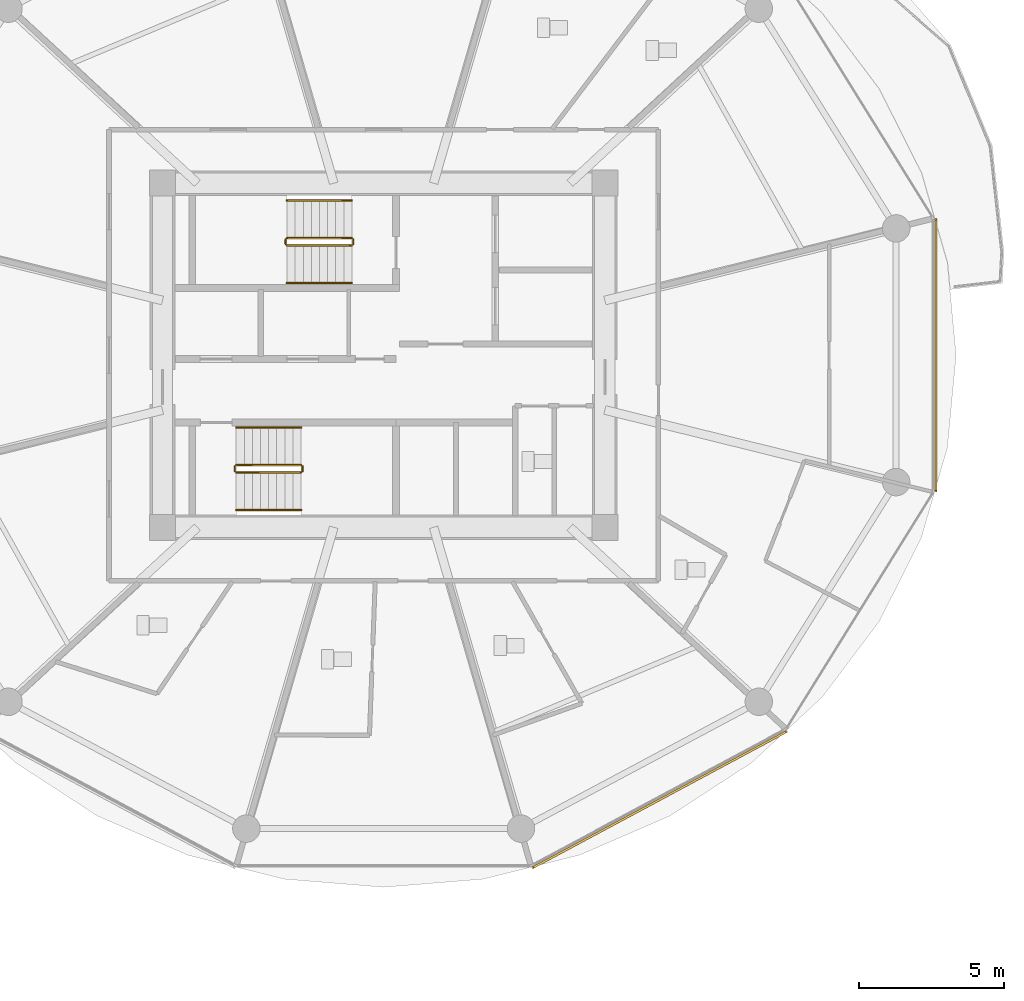
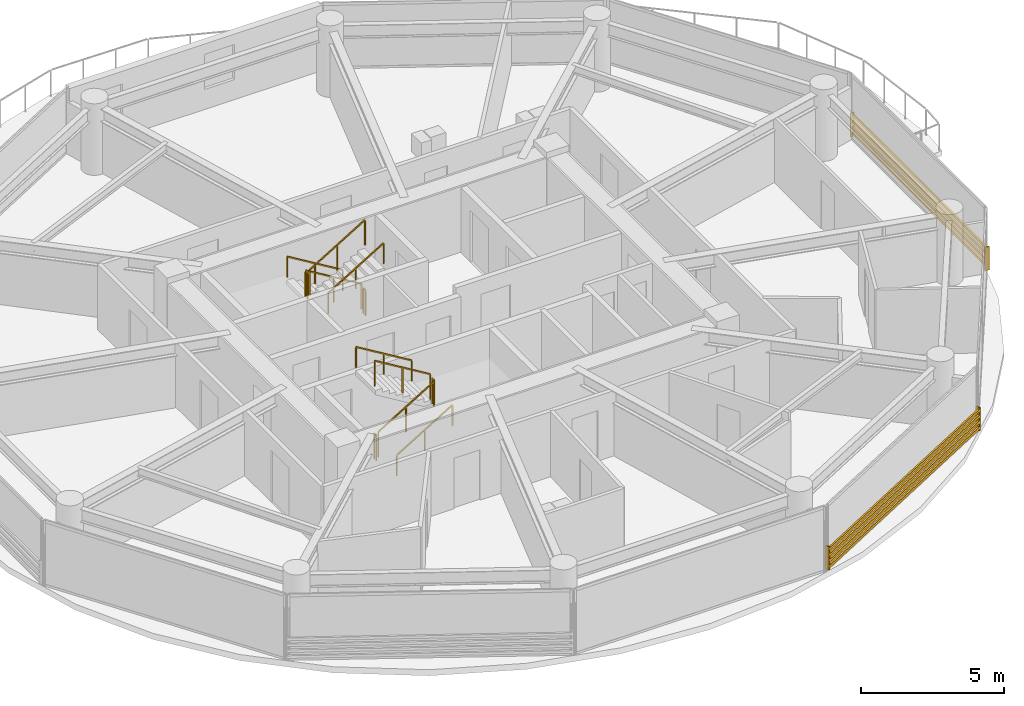
# One storey, part 25 of 27: 12 railings, 2 shading devices.
"""IFC4 building model written with IfcOpenShell, lengths in metres."""

from ifc_helpers import new_model, si_unit, direction, frame, origin, origin_2d, place, context, subcontext, project, spatial, rectangle, extrude, source, transform, mapped, material, type_object, type_shapes, element, save


model = new_model("IFC4")

# Units and contexts
model_context = context("Model", 3, precision=1e-05, world=origin(), true_north=direction((0.0, 1.0)))
body_context = subcontext(model_context, "Body", "Model", "MODEL_VIEW")
ifc_project = project(units=[si_unit("LENGTHUNIT", "METRE"), si_unit("AREAUNIT", "SQUARE_METRE"), si_unit("VOLUMEUNIT", "CUBIC_METRE"), si_unit("PLANEANGLEUNIT", "RADIAN"), si_unit("MASSUNIT", "GRAM", prefix="KILO")], contexts=[model_context])

# Site, building, storey
site_placement = place(None, origin())
site = spatial("IfcSite", under=ifc_project, at=site_placement, CompositionType="ELEMENT")
building_placement = place(site_placement, origin())
building = spatial("IfcBuilding", under=site, at=building_placement, Name="Norrkilde Senior Care Towers", CompositionType="ELEMENT")
storey_placement = place(building_placement, frame((0.0, 0.0, 52.10009765625)))
storey = spatial("IfcBuildingStorey", under=building, at=storey_placement, Name="L15", CompositionType="ELEMENT", Elevation=52.10009765625)

# Railings
ifc_material_1 = material(Name="Stainless Steel", Category="steel")
railing_type_1 = type_object("IfcRailingType", Name="Stair and Terrace Guardrail 1100", PredefinedType="GUARDRAIL", material=ifc_material_1)
railing_1_placement = place(storey_placement, frame((26.89990234375, 4.050048828125, 0.16943359375)))
element("IfcRailing", 1, at=railing_1_placement, inside=storey, type_object=railing_type_1, Name="L15 ST-E1 stair guard 1", PredefinedType="GUARDRAIL", context=body_context, shape_type="SweptSolid", body=[
    extrude(rectangle(XDim=0.048095703125, YDim=0.048095703125, at=origin_2d()), frame((0.0, 0.0, 1.076171875), z_axis=(-0.855553338991, 0.0, 0.51771467445), x_axis=(0.0, -1.0, 0.0)), (0.0, 0.0, 1.0), 2.6181640625),
    extrude(rectangle(XDim=0.0419921875, YDim=0.0419921875, at=origin_2d()), origin(), (0.0, 0.0, 1.0), 1.050048828125),
    extrude(rectangle(XDim=0.0419921875, YDim=0.0419921875, at=origin_2d()), frame((-1.1201171875, 0.0, 0.677734375)), (0.0, 0.0, 1.0), 1.050048828125),
    extrude(rectangle(XDim=0.0419921875, YDim=0.0419921875, at=origin_2d()), frame((-2.239990234375, 0.0, 1.35546875)), (0.0, 0.0, 1.0), 1.050048828125),
])
railing_2_placement = place(storey_placement, frame((24.610107421875, 4.0, 1.52490234375)))
element("IfcRailing", 2, at=railing_2_placement, inside=storey, type_object=railing_type_1, Name="L15 ST-E1 stair guard 2", PredefinedType="GUARDRAIL", context=body_context, shape_type="SweptSolid", body=[
    extrude(rectangle(XDim=0.048095703125, YDim=0.048095703125, at=origin_2d()), frame((0.0, 0.0, 1.076171875), z_axis=(0.0, -1.0, 0.0), x_axis=(1.0, 0.0, 0.0)), (0.0, 0.0, 1.0), 0.14990234375),
    extrude(rectangle(XDim=0.0419921875, YDim=0.0419921875, at=origin_2d()), origin(), (0.0, 0.0, 1.0), 1.050048828125),
    extrude(rectangle(XDim=0.0419921875, YDim=0.0419921875, at=origin_2d()), frame((0.0, -0.14990234375, 0.0)), (0.0, 0.0, 1.0), 1.050048828125),
])
railing_3_placement = place(storey_placement, frame((24.659912109375, 3.800048828125, 1.6943359375)))
element("IfcRailing", 3, at=railing_3_placement, inside=storey, type_object=railing_type_1, Name="L15 ST-E1 stair guard 3", PredefinedType="GUARDRAIL", context=body_context, shape_type="SweptSolid", body=[
    extrude(rectangle(XDim=0.048095703125, YDim=0.048095703125, at=origin_2d()), frame((0.0, 0.0, 1.076171875), z_axis=(0.855553338991, 0.0, 0.51771467445), x_axis=(0.0, 1.0, 0.0)), (0.0, 0.0, 1.0), 2.6181640625),
    extrude(rectangle(XDim=0.0419921875, YDim=0.0419921875, at=origin_2d()), origin(), (0.0, 0.0, 1.0), 1.050048828125),
    extrude(rectangle(XDim=0.0419921875, YDim=0.0419921875, at=origin_2d()), frame((1.1201171875, 0.0, 0.677734375)), (0.0, 0.0, 1.0), 1.050048828125),
    extrude(rectangle(XDim=0.0419921875, YDim=0.0419921875, at=origin_2d()), frame((2.239990234375, 0.0, 1.35546875)), (0.0, 0.0, 1.0), 1.050048828125),
])
railing_4_placement = place(storey_placement, frame((26.949951171875, 4.0, 0.0)))
element("IfcRailing", 4, at=railing_4_placement, inside=storey, type_object=railing_type_1, Name="L15 ST-E1 stair guard 4", PredefinedType="GUARDRAIL", context=body_context, shape_type="SweptSolid", body=[
    extrude(rectangle(XDim=0.048095703125, YDim=0.048095703125, at=origin_2d()), frame((0.0, 0.0, 1.076171875), z_axis=(0.0, -1.0, 0.0), x_axis=(1.0, 0.0, 0.0)), (0.0, 0.0, 1.0), 0.14990234375),
    extrude(rectangle(XDim=0.0419921875, YDim=0.0419921875, at=origin_2d()), origin(), (0.0, 0.0, 1.0), 1.050048828125),
    extrude(rectangle(XDim=0.0419921875, YDim=0.0419921875, at=origin_2d()), frame((0.0, -0.14990234375, 0.0)), (0.0, 0.0, 1.0), 1.050048828125),
])
railing_5_placement = place(storey_placement, frame((22.89990234375, -4.050048828125, 0.16943359375)))
element("IfcRailing", 5, at=railing_5_placement, inside=storey, type_object=railing_type_1, Name="L15 ST-E2 stair guard 1", PredefinedType="GUARDRAIL", context=body_context, shape_type="SweptSolid", body=[
    extrude(rectangle(XDim=0.048095703125, YDim=0.048095703125, at=origin_2d()), frame((0.0, 0.0, 1.076171875), z_axis=(0.855553338991, 0.0, 0.51771467445), x_axis=(0.0, 1.0, 0.0)), (0.0, 0.0, 1.0), 2.6181640625),
    extrude(rectangle(XDim=0.0419921875, YDim=0.0419921875, at=origin_2d()), origin(), (0.0, 0.0, 1.0), 1.050048828125),
    extrude(rectangle(XDim=0.0419921875, YDim=0.0419921875, at=origin_2d()), frame((1.1201171875, 0.0, 0.677734375)), (0.0, 0.0, 1.0), 1.050048828125),
    extrude(rectangle(XDim=0.0419921875, YDim=0.0419921875, at=origin_2d()), frame((2.239990234375, 0.0, 1.35546875)), (0.0, 0.0, 1.0), 1.050048828125),
])
railing_6_placement = place(storey_placement, frame((25.18994140625, -4.0, 1.52490234375)))
element("IfcRailing", 6, at=railing_6_placement, inside=storey, type_object=railing_type_1, Name="L15 ST-E2 stair guard 2", PredefinedType="GUARDRAIL", context=body_context, shape_type="SweptSolid", body=[
    extrude(rectangle(XDim=0.048095703125, YDim=0.048095703125, at=origin_2d()), frame((0.0, 0.0, 1.076171875), z_axis=(0.0, 1.0, 0.0), x_axis=(-1.0, 0.0, 0.0)), (0.0, 0.0, 1.0), 0.14990234375),
    extrude(rectangle(XDim=0.0419921875, YDim=0.0419921875, at=origin_2d()), origin(), (0.0, 0.0, 1.0), 1.050048828125),
    extrude(rectangle(XDim=0.0419921875, YDim=0.0419921875, at=origin_2d()), frame((0.0, 0.14990234375, 0.0)), (0.0, 0.0, 1.0), 1.050048828125),
])
railing_7_placement = place(storey_placement, frame((25.139892578125, -3.800048828125, 1.6943359375)))
element("IfcRailing", 7, at=railing_7_placement, inside=storey, type_object=railing_type_1, Name="L15 ST-E2 stair guard 3", PredefinedType="GUARDRAIL", context=body_context, shape_type="SweptSolid", body=[
    extrude(rectangle(XDim=0.048095703125, YDim=0.048095703125, at=origin_2d()), frame((0.0, 0.0, 1.076171875), z_axis=(-0.855553338991, 0.0, 0.51771467445), x_axis=(0.0, -1.0, 0.0)), (0.0, 0.0, 1.0), 2.6181640625),
    extrude(rectangle(XDim=0.0419921875, YDim=0.0419921875, at=origin_2d()), origin(), (0.0, 0.0, 1.0), 1.050048828125),
    extrude(rectangle(XDim=0.0419921875, YDim=0.0419921875, at=origin_2d()), frame((-1.1201171875, 0.0, 0.677734375)), (0.0, 0.0, 1.0), 1.050048828125),
    extrude(rectangle(XDim=0.0419921875, YDim=0.0419921875, at=origin_2d()), frame((-2.239990234375, 0.0, 1.35546875)), (0.0, 0.0, 1.0), 1.050048828125),
])
railing_8_placement = place(storey_placement, frame((22.85009765625, -4.0, 0.0)))
element("IfcRailing", 8, at=railing_8_placement, inside=storey, type_object=railing_type_1, Name="L15 ST-E2 stair guard 4", PredefinedType="GUARDRAIL", context=body_context, shape_type="SweptSolid", body=[
    extrude(rectangle(XDim=0.048095703125, YDim=0.048095703125, at=origin_2d()), frame((0.0, 0.0, 1.076171875), z_axis=(0.0, 1.0, 0.0), x_axis=(-1.0, 0.0, 0.0)), (0.0, 0.0, 1.0), 0.14990234375),
    extrude(rectangle(XDim=0.0419921875, YDim=0.0419921875, at=origin_2d()), origin(), (0.0, 0.0, 1.0), 1.050048828125),
    extrude(rectangle(XDim=0.0419921875, YDim=0.0419921875, at=origin_2d()), frame((0.0, 0.14990234375, 0.0)), (0.0, 0.0, 1.0), 1.050048828125),
])
ifc_material_2 = material(Name="Nordic Ash Timber", Category="wood")
railing_type_2 = type_object("IfcRailingType", Name="Wall and Stair Handrail 900", PredefinedType="HANDRAIL", material=ifc_material_2)
railing_9_placement = place(storey_placement, frame((26.89990234375, 5.35009765625, 0.16943359375)))
element("IfcRailing", 9, at=railing_9_placement, inside=storey, type_object=railing_type_2, Name="L15 ST-E1 stair handrail 1", PredefinedType="HANDRAIL", context=body_context, shape_type="SweptSolid", body=[
    extrude(rectangle(XDim=0.048095703125, YDim=0.048095703125, at=origin_2d()), frame((0.0, 0.0, 0.8759765625), z_axis=(-0.855553338991, 0.0, 0.51771467445), x_axis=(0.0, -1.0, 0.0)), (0.0, 0.0, 1.0), 2.6181640625),
    extrude(rectangle(XDim=0.0419921875, YDim=0.0419921875, at=origin_2d()), origin(), (0.0, 0.0, 1.0), 0.849853515625),
    extrude(rectangle(XDim=0.0419921875, YDim=0.0419921875, at=origin_2d()), frame((-1.1201171875, 0.0, 0.677734375)), (0.0, 0.0, 1.0), 0.849853515625),
    extrude(rectangle(XDim=0.0419921875, YDim=0.0419921875, at=origin_2d()), frame((-2.239990234375, 0.0, 1.35546875)), (0.0, 0.0, 1.0), 0.849853515625),
])
for number, where, name in (
    (10, (24.659912109375, 2.5, 1.6943359375), "L15 ST-E1 stair handrail 2"),
    (11, (22.89990234375, -5.35009765625, 0.16943359375), "L15 ST-E2 stair handrail 1"),
):
    element("IfcRailing", number, at=place(storey_placement, frame(where)), inside=storey, type_object=railing_type_2, Name=name, PredefinedType="HANDRAIL", context=body_context, shape_type="SweptSolid", body=[
        extrude(rectangle(XDim=0.048095703125, YDim=0.048095703125, at=origin_2d()), frame((0.0, 0.0, 0.8759765625), z_axis=(0.855553338991, 0.0, 0.51771467445), x_axis=(0.0, 1.0, 0.0)), (0.0, 0.0, 1.0), 2.6181640625),
        extrude(rectangle(XDim=0.0419921875, YDim=0.0419921875, at=origin_2d()), origin(), (0.0, 0.0, 1.0), 0.849853515625),
        extrude(rectangle(XDim=0.0419921875, YDim=0.0419921875, at=origin_2d()), frame((1.1201171875, 0.0, 0.677734375)), (0.0, 0.0, 1.0), 0.849853515625),
        extrude(rectangle(XDim=0.0419921875, YDim=0.0419921875, at=origin_2d()), frame((2.239990234375, 0.0, 1.35546875)), (0.0, 0.0, 1.0), 0.849853515625),
    ])
railing_10_placement = place(storey_placement, frame((25.139892578125, -2.5, 1.6943359375)))
element("IfcRailing", 12, at=railing_10_placement, inside=storey, type_object=railing_type_2, Name="L15 ST-E2 stair handrail 2", PredefinedType="HANDRAIL", context=body_context, shape_type="SweptSolid", body=[
    extrude(rectangle(XDim=0.048095703125, YDim=0.048095703125, at=origin_2d()), frame((0.0, 0.0, 0.8759765625), z_axis=(-0.855553338991, 0.0, 0.51771467445), x_axis=(0.0, -1.0, 0.0)), (0.0, 0.0, 1.0), 2.6181640625),
    extrude(rectangle(XDim=0.0419921875, YDim=0.0419921875, at=origin_2d()), origin(), (0.0, 0.0, 1.0), 0.849853515625),
    extrude(rectangle(XDim=0.0419921875, YDim=0.0419921875, at=origin_2d()), frame((-1.1201171875, 0.0, 0.677734375)), (0.0, 0.0, 1.0), 0.849853515625),
    extrude(rectangle(XDim=0.0419921875, YDim=0.0419921875, at=origin_2d()), frame((-2.239990234375, 0.0, 1.35546875)), (0.0, 0.0, 1.0), 0.849853515625),
])

# Shading devices
ifc_material_3 = material(Name="Architectural Terracotta", Category="masonry")
shading_device_type = type_object("IfcShadingDeviceType", Name="Horizontal Terracotta Baguette Rack", PredefinedType="USERDEFINED", material=ifc_material_3)
shared_shape_1 = source(origin(), body_context, "Body", "SweptSolid", [
    extrude(rectangle(XDim=0.070068359375, YDim=0.110107421875, at=origin_2d()), frame((0.0, 0.090087890625, 0.125), z_axis=(1.0, 0.0, 0.0), x_axis=(0.0, 1.0, 0.0)), (0.0, 0.0, 1.0), 10.0107421875),
    extrude(rectangle(XDim=0.070068359375, YDim=0.110107421875, at=origin_2d()), frame((0.0, 0.090087890625, 0.375), z_axis=(1.0, 0.0, 0.0), x_axis=(0.0, 1.0, 0.0)), (0.0, 0.0, 1.0), 10.0107421875),
    extrude(rectangle(XDim=0.070068359375, YDim=0.110107421875, at=origin_2d()), frame((0.0, 0.090087890625, 0.625), z_axis=(1.0, 0.0, 0.0), x_axis=(0.0, 1.0, 0.0)), (0.0, 0.0, 1.0), 10.0107421875),
    extrude(rectangle(XDim=0.070068359375, YDim=0.110107421875, at=origin_2d()), frame((0.0, 0.090087890625, 0.875), z_axis=(1.0, 0.0, 0.0), x_axis=(0.0, 1.0, 0.0)), (0.0, 0.0, 1.0), 10.0107421875),
    extrude(rectangle(XDim=0.050048828125, YDim=0.1552734375, at=origin_2d()), frame((0.02490234375, 0.047607421875, 0.0)), (0.0, 0.0, 1.0), 1.0),
    extrude(rectangle(XDim=0.050048828125, YDim=0.1552734375, at=origin_2d()), frame((9.98583984375, 0.047607421875, 0.0)), (0.0, 0.0, 1.0), 1.0),
])
shading_device_1_placement = place(storey_placement, frame((41.915771484375, -12.926025390625, 0.079833984375), z_axis=(0.0, 0.0, 1.0), x_axis=(-0.881279875134, -0.472612428056, 0.0)))
element("IfcShadingDevice", 13, at=shading_device_1_placement, inside=storey, type_object=shading_device_type, Name="L15 Drum E Terracotta Baguette Screen 09", ObjectType="BAGUETTE", PredefinedType="USERDEFINED", context=body_context, shape_type="MappedRepresentation", body=[
    mapped(shared_shape_1, transform((0.0, 0.0, 0.0), x_axis=(1.0, 0.0, 0.0), y_axis=(0.0, 1.0, 0.0), z_axis=(0.0, 0.0, 1.0), scale=1.0)),
])
shared_shape_2 = source(origin(), body_context, "Body", "SweptSolid", [
    extrude(rectangle(XDim=0.070068359375, YDim=0.110107421875, at=origin_2d()), frame((0.0, 0.090087890625, 0.125), z_axis=(1.0, 0.0, 0.0), x_axis=(0.0, 1.0, 0.0)), (0.0, 0.0, 1.0), 9.46240234375),
    extrude(rectangle(XDim=0.070068359375, YDim=0.110107421875, at=origin_2d()), frame((0.0, 0.090087890625, 0.375), z_axis=(1.0, 0.0, 0.0), x_axis=(0.0, 1.0, 0.0)), (0.0, 0.0, 1.0), 9.46240234375),
    extrude(rectangle(XDim=0.070068359375, YDim=0.110107421875, at=origin_2d()), frame((0.0, 0.090087890625, 0.625), z_axis=(1.0, 0.0, 0.0), x_axis=(0.0, 1.0, 0.0)), (0.0, 0.0, 1.0), 9.46240234375),
    extrude(rectangle(XDim=0.070068359375, YDim=0.110107421875, at=origin_2d()), frame((0.0, 0.090087890625, 0.875), z_axis=(1.0, 0.0, 0.0), x_axis=(0.0, 1.0, 0.0)), (0.0, 0.0, 1.0), 9.46240234375),
    extrude(rectangle(XDim=0.050048828125, YDim=0.1552734375, at=origin_2d()), frame((0.02490234375, 0.047607421875, 0.0)), (0.0, 0.0, 1.0), 1.0),
    extrude(rectangle(XDim=0.050048828125, YDim=0.1552734375, at=origin_2d()), frame((9.4375, 0.047607421875, 0.0)), (0.0, 0.0, 1.0), 1.0),
])
type_shapes(shading_device_type, [shared_shape_1, shared_shape_2])
shading_device_2_placement = place(storey_placement, frame((47.009521484375, 4.731201171875, 0.079833984375), z_axis=(0.0, 0.0, 1.0), x_axis=(0.0, -1.0, 0.0)))
element("IfcShadingDevice", 14, at=shading_device_2_placement, inside=storey, type_object=shading_device_type, Name="L15 Drum E Terracotta Baguette Screen 11", ObjectType="BAGUETTE", PredefinedType="USERDEFINED", context=body_context, shape_type="MappedRepresentation", body=[
    mapped(shared_shape_2, transform((0.0, 0.0, 0.0), x_axis=(1.0, 0.0, 0.0), y_axis=(0.0, 1.0, 0.0), z_axis=(0.0, 0.0, 1.0), scale=1.0)),
])

save(model, "model.ifc")
